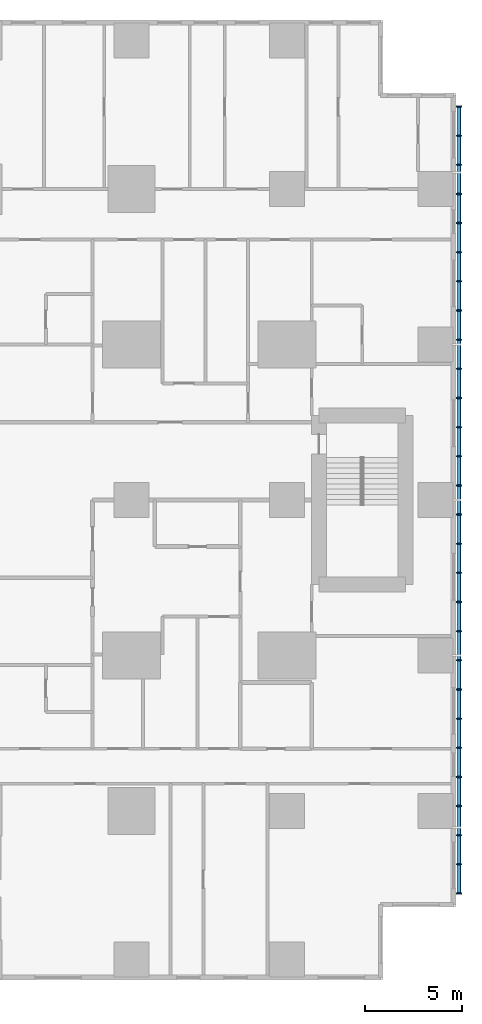
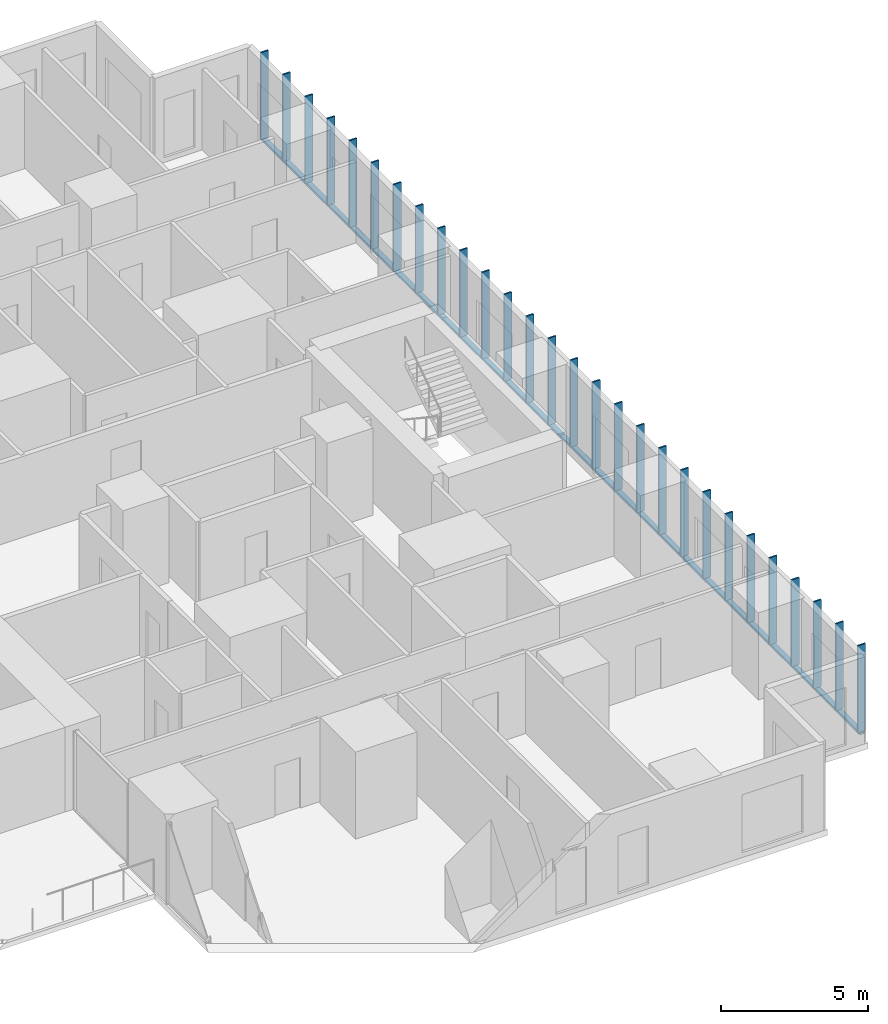
# One storey, part 6 of 20: 32 members.
"""IFC4 building model written with IfcOpenShell, lengths in metres."""

from ifc_helpers import new_model, si_unit, direction, frame, origin, origin_2d, place, context, subcontext, project, spatial, rectangle, hollow_rectangle, extrude, material, material_profile, profile_set, type_object, element, save


model = new_model("IFC4")

# Units and contexts
model_context = context("Model", 3, precision=1e-05, world=origin(), true_north=direction((0.0, 1.0)))
body_context = subcontext(model_context, "Body", "Model", "MODEL_VIEW")
ifc_project = project(units=[si_unit("LENGTHUNIT", "METRE"), si_unit("AREAUNIT", "SQUARE_METRE"), si_unit("VOLUMEUNIT", "CUBIC_METRE"), si_unit("PLANEANGLEUNIT", "RADIAN"), si_unit("MASSUNIT", "GRAM", prefix="KILO")], contexts=[model_context])

# Site, building, storey
site_placement = place(None, origin())
site = spatial("IfcSite", under=ifc_project, at=site_placement, CompositionType="ELEMENT")
building_placement = place(site_placement, origin())
building = spatial("IfcBuilding", under=site, at=building_placement, Name="Cleftline Residences", CompositionType="ELEMENT")
storey_placement = place(building_placement, frame((0.0, 0.0, 182.199951171875)))
storey = spatial("IfcBuildingStorey", under=building, at=storey_placement, Name="L47", CompositionType="ELEMENT", Elevation=182.199951171875)

# Members
ifc_material_1 = material(Name="Steel S355, hot-dip galvanised", Category="steel")
ifc_material_profile_1 = material_profile(ifc_material_1, hollow_rectangle(XDim=0.10009765625, YDim=0.199951171875, WallThickness=0.008056640625, InnerFilletRadius=0.008056640625, OuterFilletRadius=0.011962890625, at=origin_2d()))
ifc_profile_set_1 = profile_set([ifc_material_profile_1], Name="Steel S355, hot-dip galvanised")
member_type_1 = type_object("IfcMemberType", Name="BAGUETTE CARRIER RHS 200X100X8", PredefinedType="USERDEFINED", material=ifc_profile_set_1)
member_1_placement = place(storey_placement, frame((66.85009765625, 3.699951171875, -0.050048828125), z_axis=(0.0, 1.0, 0.0), x_axis=(0.0, 0.0, 1.0)))
element("IfcMember", 1, at=member_1_placement, inside=storey, type_object=member_type_1, Name="Baguette carrier", ObjectType="BAGUETTE CARRIER", PredefinedType="USERDEFINED", context=body_context, shape_type="SweptSolid", body=[
    extrude(hollow_rectangle(XDim=0.10009765625, YDim=0.199951171875, WallThickness=0.008056640625, InnerFilletRadius=0.008056640625, OuterFilletRadius=0.011962890625, at=origin_2d()), origin(), (0.0, 0.0, 1.0), 12.300048828125),
])
for number, where, z_axis, x_axis, name in (
    (2, (66.85009765625, 16.0, -0.050048828125), (0.0, 1.0, 0.0), (0.0, 0.0, 1.0), "Baguette carrier"),
    (3, (66.85009765625, 24.0, -0.050048828125), (0.0, 1.0, 0.0), (0.0, 0.0, 1.0), "Baguette carrier"),
):
    element("IfcMember", number, at=place(storey_placement, frame(where, z_axis=z_axis, x_axis=x_axis)), inside=storey, type_object=member_type_1, Name=name, ObjectType="BAGUETTE CARRIER", PredefinedType="USERDEFINED", context=body_context, shape_type="SweptSolid", body=[
        extrude(hollow_rectangle(XDim=0.10009765625, YDim=0.199951171875, WallThickness=0.008056640625, InnerFilletRadius=0.008056640625, OuterFilletRadius=0.011962890625, at=origin_2d()), origin(), (0.0, 0.0, 1.0), 8.0),
    ])
member_2_placement = place(storey_placement, frame((66.85009765625, 32.0, -0.050048828125), z_axis=(0.0, 1.0, 0.0), x_axis=(0.0, 0.0, 1.0)))
element("IfcMember", 4, at=member_2_placement, inside=storey, type_object=member_type_1, Name="Baguette carrier", ObjectType="BAGUETTE CARRIER", PredefinedType="USERDEFINED", context=body_context, shape_type="SweptSolid", body=[
    extrude(hollow_rectangle(XDim=0.10009765625, YDim=0.199951171875, WallThickness=0.008056640625, InnerFilletRadius=0.008056640625, OuterFilletRadius=0.011962890625, at=origin_2d()), origin(), (0.0, 0.0, 1.0), 12.300048828125),
])
ifc_material_2 = material(Name="Extruded terracotta", Category="masonry")
ifc_material_profile_2 = material_profile(ifc_material_2, rectangle(XDim=0.06005859375, YDim=0.300048828125, at=origin_2d()))
ifc_profile_set_2 = profile_set([ifc_material_profile_2], Name="Extruded terracotta")
member_type_2 = type_object("IfcMemberType", Name="TERRACOTTA BAGUETTE 60X300", PredefinedType="USERDEFINED", material=ifc_profile_set_2)
for number, where, z_axis, x_axis, name in (
    (5, (66.85009765625, 3.75, 0.0), (0.0, 0.0, 1.0), (0.0, 1.0, 0.0), "Terracotta baguette"),
    (6, (66.85009765625, 5.25, 0.0), (0.0, 0.0, 1.0), (0.0, 1.0, 0.0), "Terracotta baguette"),
    (7, (66.85009765625, 6.75, 0.0), (0.0, 0.0, 1.0), (0.0, 1.0, 0.0), "Terracotta baguette"),
    (8, (66.85009765625, 8.25, 0.0), (0.0, 0.0, 1.0), (0.0, 1.0, 0.0), "Terracotta baguette"),
    (9, (66.85009765625, 9.75, 0.0), (0.0, 0.0, 1.0), (0.0, 1.0, 0.0), "Terracotta baguette"),
    (10, (66.85009765625, 11.25, 0.0), (0.0, 0.0, 1.0), (0.0, 1.0, 0.0), "Terracotta baguette"),
    (11, (66.85009765625, 12.75, 0.0), (0.0, 0.0, 1.0), (0.0, 1.0, 0.0), "Terracotta baguette"),
    (12, (66.85009765625, 14.25, 0.0), (0.0, 0.0, 1.0), (0.0, 1.0, 0.0), "Terracotta baguette"),
    (13, (66.85009765625, 15.75, 0.0), (0.0, 0.0, 1.0), (0.0, 1.0, 0.0), "Terracotta baguette"),
    (14, (66.85009765625, 17.25, 0.0), (0.0, 0.0, 1.0), (0.0, 1.0, 0.0), "Terracotta baguette"),
    (15, (66.85009765625, 18.75, 0.0), (0.0, 0.0, 1.0), (0.0, 1.0, 0.0), "Terracotta baguette"),
    (16, (66.85009765625, 20.25, 0.0), (0.0, 0.0, 1.0), (0.0, 1.0, 0.0), "Terracotta baguette"),
    (17, (66.85009765625, 21.75, 0.0), (0.0, 0.0, 1.0), (0.0, 1.0, 0.0), "Terracotta baguette"),
    (18, (66.85009765625, 23.25, 0.0), (0.0, 0.0, 1.0), (0.0, 1.0, 0.0), "Terracotta baguette"),
    (19, (66.85009765625, 24.75, 0.0), (0.0, 0.0, 1.0), (0.0, 1.0, 0.0), "Terracotta baguette"),
    (20, (66.85009765625, 26.25, 0.0), (0.0, 0.0, 1.0), (0.0, 1.0, 0.0), "Terracotta baguette"),
    (21, (66.85009765625, 27.75, 0.0), (0.0, 0.0, 1.0), (0.0, 1.0, 0.0), "Terracotta baguette"),
    (22, (66.85009765625, 29.25, 0.0), (0.0, 0.0, 1.0), (0.0, 1.0, 0.0), "Terracotta baguette"),
    (23, (66.85009765625, 30.75, 0.0), (0.0, 0.0, 1.0), (0.0, 1.0, 0.0), "Terracotta baguette"),
    (24, (66.85009765625, 32.25, 0.0), (0.0, 0.0, 1.0), (0.0, 1.0, 0.0), "Terracotta baguette"),
    (25, (66.85009765625, 33.75, 0.0), (0.0, 0.0, 1.0), (0.0, 1.0, 0.0), "Terracotta baguette"),
    (26, (66.85009765625, 35.25, 0.0), (0.0, 0.0, 1.0), (0.0, 1.0, 0.0), "Terracotta baguette"),
    (27, (66.85009765625, 36.75, 0.0), (0.0, 0.0, 1.0), (0.0, 1.0, 0.0), "Terracotta baguette"),
    (28, (66.85009765625, 38.25, 0.0), (0.0, 0.0, 1.0), (0.0, 1.0, 0.0), "Terracotta baguette"),
    (29, (66.85009765625, 39.75, 0.0), (0.0, 0.0, 1.0), (0.0, 1.0, 0.0), "Terracotta baguette"),
    (30, (66.85009765625, 41.25, 0.0), (0.0, 0.0, 1.0), (0.0, 1.0, 0.0), "Terracotta baguette"),
    (31, (66.85009765625, 42.75, 0.0), (0.0, 0.0, 1.0), (0.0, 1.0, 0.0), "Terracotta baguette"),
    (32, (66.85009765625, 44.25, 0.0), (0.0, 0.0, 1.0), (0.0, 1.0, 0.0), "Terracotta baguette"),
):
    element("IfcMember", number, at=place(storey_placement, frame(where, z_axis=z_axis, x_axis=x_axis)), inside=storey, type_object=member_type_2, Name=name, ObjectType="BAGUETTE", PredefinedType="USERDEFINED", context=body_context, shape_type="SweptSolid", body=[
        extrude(rectangle(XDim=0.06005859375, YDim=0.300048828125, at=origin_2d()), origin(), (0.0, 0.0, 1.0), 3.60009765625),
    ])

save(model, "model.ifc")
